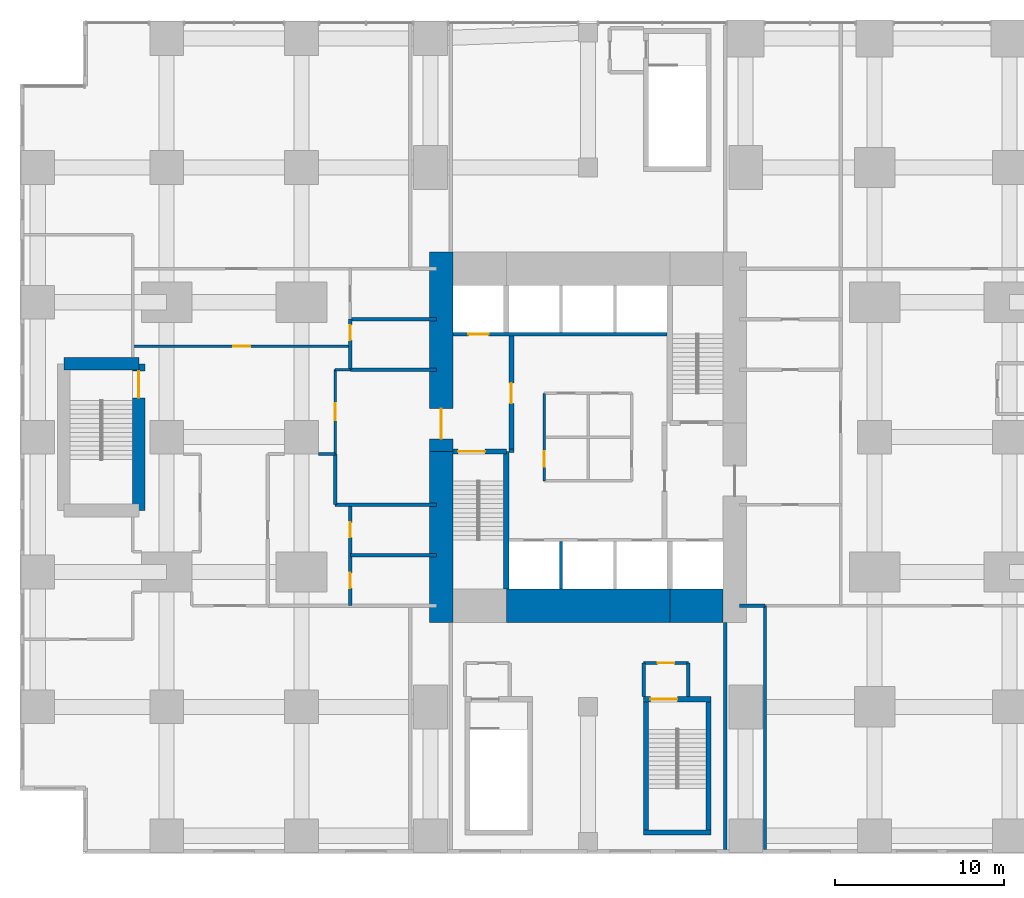
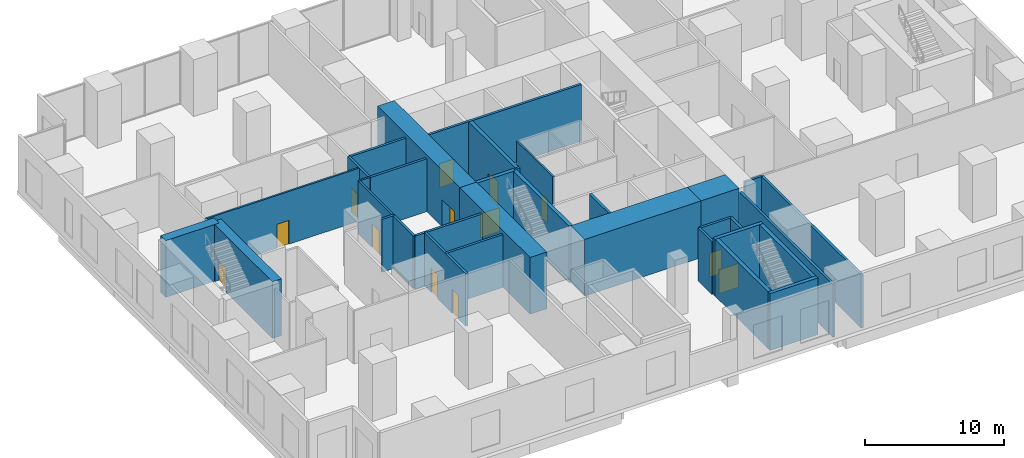
# One storey, part 7 of 11: 34 walls, 13 doors, 13 openings.
"""IFC4 building model written with IfcOpenShell, lengths in metres."""

from ifc_helpers import new_model, si_unit, direction, frame, frame_2d, origin, place, context, subcontext, project, spatial, rectangle, extrude, material, layer, layer_set, type_object, element, fill, save


model = new_model("IFC4")

# Units and contexts
model_context = context("Model", 3, precision=1e-05, world=origin(), true_north=direction((0.0, 1.0)))
body_context = subcontext(model_context, "Body", "Model", "MODEL_VIEW")
ifc_project = project(units=[si_unit("LENGTHUNIT", "METRE"), si_unit("AREAUNIT", "SQUARE_METRE"), si_unit("VOLUMEUNIT", "CUBIC_METRE"), si_unit("PLANEANGLEUNIT", "RADIAN"), si_unit("MASSUNIT", "GRAM", prefix="KILO")], contexts=[model_context])

# Site, building, storey
site_placement = place(None, origin())
site = spatial("IfcSite", under=ifc_project, at=site_placement, CompositionType="ELEMENT")
building_placement = place(site_placement, origin())
building = spatial("IfcBuilding", under=site, at=building_placement, Name="Cleftline Residences", CompositionType="ELEMENT")
storey_placement = place(building_placement, frame((0.0, 0.0, 21.0)))
storey = spatial("IfcBuildingStorey", under=building, at=storey_placement, Name="L04", CompositionType="ELEMENT", Elevation=21.0)

# Wall
ifc_material_1 = material(Name="Concrete B70", Category="concrete")
ifc_layer_1 = layer(ifc_material_1, 1.39990234375)
ifc_layer_set_1 = layer_set([ifc_layer_1], Name="CORE WALL 1400")
wall_type_1 = type_object("IfcWallType", Name="CORE WALL 1400", PredefinedType="SHEAR", material=ifc_layer_set_1)
wall_1_placement = place(storey_placement, frame((24.300048828125, 13.0, 0.0), z_axis=(0.0, 0.0, 1.0), x_axis=(0.0, 1.0, 0.0)))
element("IfcWall", 1, at=wall_1_placement, inside=storey, type_object=wall_type_1, Name="Core wall W0", PredefinedType="SHEAR", context=body_context, shape_type="SweptSolid", body=[
    extrude(rectangle(XDim=10.14990234375, YDim=1.39990234375, at=frame_2d((5.074951171875, 0.0))), origin(), (0.0, 0.0, 1.0), 5.0),
])

# Wall, opening, door
wall_2_placement = place(storey_placement, frame((24.300048828125, 23.14990234375, 0.0), z_axis=(0.0, 0.0, 1.0), x_axis=(0.0, 1.0, 0.0)))
wall_2 = element("IfcWall", 2, at=wall_2_placement, inside=storey, type_object=wall_type_1, Name="Core wall W", PredefinedType="SHEAR", context=body_context, shape_type="SweptSolid", body=[
    extrude(rectangle(XDim=11.85009765625, YDim=1.39990234375, at=frame_2d((5.925048828125, 0.0))), origin(), (0.0, 0.0, 1.0), 5.0),
])
opening_1_placement = place(wall_2_placement, frame((0.75, 0.0, 0.0)))
opening_1 = element("IfcOpeningElement", 3, at=opening_1_placement, cuts=wall_2, Name="Opening D7", PredefinedType="OPENING", context=body_context, shape_type="SweptSolid", body=[
    extrude(rectangle(XDim=1.800048828125, YDim=2.39990234375, at=frame_2d((0.89990234375, 1.199951171875))), frame((0.0, 0.7099609375, 0.0), z_axis=(0.0, -1.0, 0.0), x_axis=(1.0, 0.0, 0.0)), (0.0, 0.0, 1.0), 1.419921875),
])
ifc_material_2 = material(Name="Steel", Category="steel")
door_type_1 = type_object("IfcDoorType", Name="WING DOOR 1800X2400", OperationType="DOUBLE_DOOR_DOUBLE_SWING", PredefinedType="DOOR", material=ifc_material_2)
door_1_placement = place(opening_1_placement, origin())
door_1 = element("IfcDoor", 4, at=door_1_placement, inside=storey, type_object=door_type_1, Name="West wing door", OperationType="DOUBLE_DOOR_DOUBLE_SWING", OverallHeight=2.39990234375, OverallWidth=1.800048828125, PredefinedType="DOOR", context=body_context, shape_type="SweptSolid", body=[
    extrude(rectangle(XDim=1.800048828125, YDim=2.39990234375, at=frame_2d((0.89990234375, 1.199951171875))), frame((0.0, 0.02490234375, 0.0), z_axis=(0.0, -1.0, 0.0), x_axis=(1.0, 0.0, 0.0)), (0.0, 0.0, 1.0), 0.050048828125),
])
fill(opening_1, door_1)

# Walls
ifc_material_3 = material(Name="Concrete B70", Category="concrete")
ifc_layer_2 = layer(ifc_material_3, 2.0)
ifc_layer_set_2 = layer_set([ifc_layer_2], Name="CORE WALL 2000")
wall_type_2 = type_object("IfcWallType", Name="CORE WALL 2000", PredefinedType="SHEAR", material=ifc_layer_set_2)
wall_3_placement = place(storey_placement, frame((28.14990234375, 14.0, 0.0), z_axis=(0.0, 0.0, 1.0), x_axis=(1.0, 0.0, 0.0)))
element("IfcWall", 5, at=wall_3_placement, inside=storey, type_object=wall_type_2, Name="Core wall S2", PredefinedType="SHEAR", context=body_context, shape_type="SweptSolid", body=[
    extrude(rectangle(XDim=9.7001953125, YDim=2.0, at=frame_2d((4.85009765625, 0.0))), origin(), (0.0, 0.0, 1.0), 5.0),
])
wall_4_placement = place(storey_placement, frame((37.85009765625, 14.0, 0.0), z_axis=(0.0, 0.0, 1.0), x_axis=(1.0, 0.0, 0.0)))
element("IfcWall", 6, at=wall_4_placement, inside=storey, type_object=wall_type_2, Name="Core wall S3", PredefinedType="SHEAR", context=body_context, shape_type="SweptSolid", body=[
    extrude(rectangle(XDim=3.14990234375, YDim=2.0, at=frame_2d((1.574951171875, 0.0))), origin(), (0.0, 0.0, 1.0), 5.0),
])
ifc_material_4 = material(Name="Concrete B70", Category="concrete")
ifc_layer_3 = layer(ifc_material_4, 0.300048828125)
ifc_layer_set_3 = layer_set([ifc_layer_3], Name="CORE WALL 300")
wall_type_3 = type_object("IfcWallType", Name="CORE WALL 300", PredefinedType="SHEAR", material=ifc_layer_set_3)
wall_5_placement = place(storey_placement, frame((28.14990234375, 15.0, 0.0), z_axis=(0.0, 0.0, 1.0), x_axis=(0.0, 1.0, 0.0)))
element("IfcWall", 7, at=wall_5_placement, inside=storey, type_object=wall_type_3, Name="Core wall SA-E", PredefinedType="SHEAR", context=body_context, shape_type="SweptSolid", body=[
    extrude(rectangle(XDim=8.14990234375, YDim=0.300048828125, at=frame_2d((4.074951171875, 0.0))), origin(), (0.0, 0.0, 1.0), 5.0),
])

# Wall, opening, door
wall_6_placement = place(storey_placement, frame((25.0, 23.14990234375, 0.0), z_axis=(0.0, 0.0, 1.0), x_axis=(1.0, 0.0, 0.0)))
wall_6 = element("IfcWall", 8, at=wall_6_placement, inside=storey, type_object=wall_type_3, Name="Core wall SA-N", PredefinedType="SHEAR", context=body_context, shape_type="SweptSolid", body=[
    extrude(rectangle(XDim=3.14990234375, YDim=0.300048828125, at=frame_2d((1.574951171875, 0.0))), origin(), (0.0, 0.0, 1.0), 5.0),
])
opening_2_placement = place(wall_6_placement, frame((0.300048828125, 0.0, 0.0)))
opening_2 = element("IfcOpeningElement", 9, at=opening_2_placement, cuts=wall_6, Name="Opening D9", PredefinedType="OPENING", context=body_context, shape_type="SweptSolid", body=[
    extrude(rectangle(XDim=1.60009765625, YDim=2.10009765625, at=frame_2d((0.800048828125, 1.050048828125))), frame((0.0, 0.159912109375, 0.0), z_axis=(0.0, -1.0, 0.0), x_axis=(1.0, 0.0, 0.0)), (0.0, 0.0, 1.0), 0.320068359375),
])
ifc_material_5 = material(Name="Steel", Category="steel")
door_type_2 = type_object("IfcDoorType", Name="STAIR DOOR 1600X2100", OperationType="DOUBLE_DOOR_SINGLE_SWING", PredefinedType="DOOR", material=ifc_material_5)
door_2_placement = place(opening_2_placement, origin())
door_2 = element("IfcDoor", 10, at=door_2_placement, inside=storey, type_object=door_type_2, Name="Stair A door", OperationType="DOUBLE_DOOR_SINGLE_SWING", OverallHeight=2.10009765625, OverallWidth=1.60009765625, PredefinedType="DOOR", context=body_context, shape_type="SweptSolid", body=[
    extrude(rectangle(XDim=1.60009765625, YDim=2.10009765625, at=frame_2d((0.800048828125, 1.050048828125))), frame((0.0, 0.02490234375, 0.0), z_axis=(0.0, -1.0, 0.0), x_axis=(1.0, 0.0, 0.0)), (0.0, 0.0, 1.0), 0.050048828125),
])
fill(opening_2, door_2)

ifc_material_6 = material(Name="Concrete blockwork, fire rated", Category="masonry")
ifc_layer_4 = layer(ifc_material_6, 0.199951171875)
ifc_layer_set_4 = layer_set([ifc_layer_4], Name="FIRE WALL 200")
wall_type_4 = type_object("IfcWallType", Name="FIRE WALL 200", PredefinedType="PARTITIONING", material=ifc_layer_set_4)
wall_7_placement = place(storey_placement, frame((36.300048828125, 10.60009765625, 0.0), z_axis=(0.0, 0.0, 1.0), x_axis=(1.0, 0.0, 0.0)))
wall_7 = element("IfcWall", 11, at=wall_7_placement, inside=storey, type_object=wall_type_4, Name="Fire separating wall", PredefinedType="PARTITIONING", context=body_context, shape_type="SweptSolid", body=[
    extrude(rectangle(XDim=2.64990234375, YDim=0.199951171875, at=frame_2d((1.324951171875, 0.0))), origin(), (0.0, 0.0, 1.0), 4.64990234375),
])
opening_3_placement = place(wall_7_placement, frame((0.824951171875, 0.0, 0.0)))
opening_3 = element("IfcOpeningElement", 12, at=opening_3_placement, cuts=wall_7, Name="Opening D2F60", PredefinedType="OPENING", context=body_context, shape_type="SweptSolid", body=[
    extrude(rectangle(XDim=1.0, YDim=2.10009765625, at=frame_2d((0.5, 1.050048828125))), frame((0.0, 0.10986328125, 0.0), z_axis=(0.0, -1.0, 0.0), x_axis=(1.0, 0.0, 0.0)), (0.0, 0.0, 1.0), 0.219970703125),
])
ifc_material_7 = material(Name="Timber veneer on solid core", Category="wood")
door_type_3 = type_object("IfcDoorType", Name="DOOR 1000X2100 EI 60", OperationType="SINGLE_SWING_LEFT", PredefinedType="DOOR", material=ifc_material_7)
door_3_placement = place(opening_3_placement, origin())
door_3 = element("IfcDoor", 13, at=door_3_placement, inside=storey, type_object=door_type_3, Name="Door to stair c2 lobby", OperationType="SINGLE_SWING_LEFT", OverallHeight=2.10009765625, OverallWidth=1.0, PredefinedType="DOOR", context=body_context, shape_type="SweptSolid", body=[
    extrude(rectangle(XDim=1.0, YDim=2.10009765625, at=frame_2d((0.5, 1.050048828125))), frame((0.0, 0.02490234375, 0.0), z_axis=(0.0, -1.0, 0.0), x_axis=(1.0, 0.0, 0.0)), (0.0, 0.0, 1.0), 0.050048828125),
])
fill(opening_3, door_3)

# Walls
wall_8_placement = place(storey_placement, frame((42.0, 14.0, 0.0), z_axis=(0.0, 0.0, 1.0), x_axis=(1.0, 0.0, 0.0)))
element("IfcWall", 14, at=wall_8_placement, inside=storey, type_object=wall_type_4, Name="Fire separating wall", PredefinedType="PARTITIONING", context=body_context, shape_type="SweptSolid", body=[
    extrude(rectangle(XDim=1.5, YDim=0.199951171875, at=frame_2d((0.75, 0.0))), origin(), (0.0, 0.0, 1.0), 4.64990234375),
])
wall_9_placement = place(storey_placement, frame((18.89990234375, 17.0, 0.0), z_axis=(0.0, 0.0, 1.0), x_axis=(1.0, 0.0, 0.0)))
element("IfcWall", 15, at=wall_9_placement, inside=storey, type_object=wall_type_4, Name="Fire separating wall", PredefinedType="PARTITIONING", context=body_context, shape_type="SweptSolid", body=[
    extrude(rectangle(XDim=5.10009765625, YDim=0.199951171875, at=frame_2d((2.550048828125, 0.0))), origin(), (0.0, 0.0, 1.0), 4.64990234375),
])
wall_10_placement = place(storey_placement, frame((18.0, 20.0, 0.0), z_axis=(0.0, 0.0, 1.0), x_axis=(1.0, 0.0, 0.0)))
element("IfcWall", 16, at=wall_10_placement, inside=storey, type_object=wall_type_4, Name="Fire separating wall", PredefinedType="PARTITIONING", context=body_context, shape_type="SweptSolid", body=[
    extrude(rectangle(XDim=6.0, YDim=0.199951171875, at=frame_2d((3.0, 0.0))), origin(), (0.0, 0.0, 1.0), 4.64990234375),
])
wall_11_placement = place(storey_placement, frame((17.0, 23.0, 0.0), z_axis=(0.0, 0.0, 1.0), x_axis=(1.0, 0.0, 0.0)))
element("IfcWall", 17, at=wall_11_placement, inside=storey, type_object=wall_type_4, Name="Fire separating wall", PredefinedType="PARTITIONING", context=body_context, shape_type="SweptSolid", body=[
    extrude(rectangle(XDim=1.0, YDim=0.199951171875, at=frame_2d((0.5, 0.0))), origin(), (0.0, 0.0, 1.0), 4.64990234375),
])
for number, where, z_axis, x_axis, name in (
    (18, (18.89990234375, 28.0, 0.0), (0.0, 0.0, 1.0), (1.0, 0.0, 0.0), "Fire separating wall"),
    (19, (18.89990234375, 31.0, 0.0), (0.0, 0.0, 1.0), (1.0, 0.0, 0.0), "Fire separating wall"),
):
    element("IfcWall", number, at=place(storey_placement, frame(where, z_axis=z_axis, x_axis=x_axis)), inside=storey, type_object=wall_type_4, Name=name, PredefinedType="PARTITIONING", context=body_context, shape_type="SweptSolid", body=[
        extrude(rectangle(XDim=5.10009765625, YDim=0.199951171875, at=frame_2d((2.550048828125, 0.0))), origin(), (0.0, 0.0, 1.0), 4.64990234375),
    ])
wall_12_placement = place(storey_placement, frame((18.0, 20.0, 0.0), z_axis=(0.0, 0.0, 1.0), x_axis=(0.0, 1.0, 0.0)))
element("IfcWall", 20, at=wall_12_placement, inside=storey, type_object=wall_type_4, Name="Fire separating wall", PredefinedType="PARTITIONING", context=body_context, shape_type="SweptSolid", body=[
    extrude(rectangle(XDim=3.0, YDim=0.199951171875, at=frame_2d((1.5, 0.0))), origin(), (0.0, 0.0, 1.0), 4.64990234375),
])

# Wall, openings, doors
wall_13_placement = place(storey_placement, frame((18.89990234375, 14.0, 0.0), z_axis=(0.0, 0.0, 1.0), x_axis=(0.0, 1.0, 0.0)))
wall_13 = element("IfcWall", 21, at=wall_13_placement, inside=storey, type_object=wall_type_4, Name="Fire separating wall", PredefinedType="PARTITIONING", context=body_context, shape_type="SweptSolid", body=[
    extrude(rectangle(XDim=6.0, YDim=0.199951171875, at=frame_2d((3.0, 0.0))), origin(), (0.0, 0.0, 1.0), 4.64990234375),
])
opening_4_placement = place(wall_13_placement, frame((1.050048828125, 0.0, 0.0)))
opening_4 = element("IfcOpeningElement", 22, at=opening_4_placement, cuts=wall_13, Name="Opening D1F30", PredefinedType="OPENING", context=body_context, shape_type="SweptSolid", body=[
    extrude(rectangle(XDim=0.89990234375, YDim=2.10009765625, at=frame_2d((0.449951171875, 1.050048828125))), frame((0.0, 0.10986328125, 0.0), z_axis=(0.0, -1.0, 0.0), x_axis=(1.0, 0.0, 0.0)), (0.0, 0.0, 1.0), 0.219970703125),
])
opening_5_placement = place(wall_13_placement, frame((4.050048828125, 0.0, 0.0)))
opening_5 = element("IfcOpeningElement", 23, at=opening_5_placement, cuts=wall_13, Name="Opening D1F30", PredefinedType="OPENING", context=body_context, shape_type="SweptSolid", body=[
    extrude(rectangle(XDim=0.89990234375, YDim=2.10009765625, at=frame_2d((0.449951171875, 1.050048828125))), frame((0.0, 0.10986328125, 0.0), z_axis=(0.0, -1.0, 0.0), x_axis=(1.0, 0.0, 0.0)), (0.0, 0.0, 1.0), 0.219970703125),
])
ifc_material_8 = material(Name="Timber veneer on solid core", Category="wood")
door_type_4 = type_object("IfcDoorType", Name="DOOR 900X2100 EI 30", OperationType="SINGLE_SWING_LEFT", PredefinedType="DOOR", material=ifc_material_8)
door_4_placement = place(opening_4_placement, origin())
door_4 = element("IfcDoor", 24, at=door_4_placement, inside=storey, type_object=door_type_4, Name="Door to male wc", OperationType="SINGLE_SWING_RIGHT", OverallHeight=2.10009765625, OverallWidth=0.89990234375, PredefinedType="DOOR", context=body_context, shape_type="SweptSolid", body=[
    extrude(rectangle(XDim=0.89990234375, YDim=2.10009765625, at=frame_2d((0.449951171875, 1.050048828125))), frame((0.0, 0.02490234375, 0.0), z_axis=(0.0, -1.0, 0.0), x_axis=(1.0, 0.0, 0.0)), (0.0, 0.0, 1.0), 0.050048828125),
])
fill(opening_4, door_4)
door_5_placement = place(opening_5_placement, origin())
door_5 = element("IfcDoor", 25, at=door_5_placement, inside=storey, type_object=door_type_4, Name="Door to female wc", OperationType="SINGLE_SWING_LEFT", OverallHeight=2.10009765625, OverallWidth=0.89990234375, PredefinedType="DOOR", context=body_context, shape_type="SweptSolid", body=[
    extrude(rectangle(XDim=0.89990234375, YDim=2.10009765625, at=frame_2d((0.449951171875, 1.050048828125))), frame((0.0, 0.02490234375, 0.0), z_axis=(0.0, -1.0, 0.0), x_axis=(1.0, 0.0, 0.0)), (0.0, 0.0, 1.0), 0.050048828125),
])
fill(opening_5, door_5)

# Wall, opening, door
wall_14_placement = place(storey_placement, frame((18.89990234375, 28.0, 0.0), z_axis=(0.0, 0.0, 1.0), x_axis=(0.0, 1.0, 0.0)))
wall_14 = element("IfcWall", 26, at=wall_14_placement, inside=storey, type_object=wall_type_4, Name="Fire separating wall", PredefinedType="PARTITIONING", context=body_context, shape_type="SweptSolid", body=[
    extrude(rectangle(XDim=3.0, YDim=0.199951171875, at=frame_2d((1.5, 0.0))), origin(), (0.0, 0.0, 1.0), 4.64990234375),
])
opening_6_placement = place(wall_14_placement, frame((1.75, 0.0, 0.0)))
opening_6 = element("IfcOpeningElement", 27, at=opening_6_placement, cuts=wall_14, Name="Opening D1F30", PredefinedType="OPENING", context=body_context, shape_type="SweptSolid", body=[
    extrude(rectangle(XDim=0.89990234375, YDim=2.10009765625, at=frame_2d((0.449951171875, 1.050048828125))), frame((0.0, 0.10986328125, 0.0), z_axis=(0.0, -1.0, 0.0), x_axis=(1.0, 0.0, 0.0)), (0.0, 0.0, 1.0), 0.219970703125),
])
door_6_placement = place(opening_6_placement, origin())
door_6 = element("IfcDoor", 28, at=door_6_placement, inside=storey, type_object=door_type_4, Name="Door to accessible wc", OperationType="SINGLE_SWING_LEFT", OverallHeight=2.10009765625, OverallWidth=0.89990234375, PredefinedType="DOOR", context=body_context, shape_type="SweptSolid", body=[
    extrude(rectangle(XDim=0.89990234375, YDim=2.10009765625, at=frame_2d((0.449951171875, 1.050048828125))), frame((0.0, 0.02490234375, 0.0), z_axis=(0.0, -1.0, 0.0), x_axis=(1.0, 0.0, 0.0)), (0.0, 0.0, 1.0), 0.050048828125),
])
fill(opening_6, door_6)

# Walls
for number, where, z_axis, x_axis, name in (
    (29, (36.300048828125, 8.60009765625, 0.0), (0.0, 0.0, 1.0), (0.0, 1.0, 0.0), "Fire separating wall"),
    (30, (38.949951171875, 8.60009765625, 0.0), (0.0, 0.0, 1.0), (0.0, 1.0, 0.0), "Fire separating wall"),
):
    element("IfcWall", number, at=place(storey_placement, frame(where, z_axis=z_axis, x_axis=x_axis)), inside=storey, type_object=wall_type_4, Name=name, PredefinedType="PARTITIONING", context=body_context, shape_type="SweptSolid", body=[
        extrude(rectangle(XDim=2.0, YDim=0.199951171875, at=frame_2d((1.0, 0.0))), origin(), (0.0, 0.0, 1.0), 4.64990234375),
    ])
wall_15_placement = place(storey_placement, frame((41.14990234375, -0.449951171875, 0.0), z_axis=(0.0, 0.0, 1.0), x_axis=(0.0, 1.0, 0.0)))
element("IfcWall", 31, at=wall_15_placement, inside=storey, type_object=wall_type_4, Name="Fire separating wall", PredefinedType="PARTITIONING", context=body_context, shape_type="SweptSolid", body=[
    extrude(rectangle(XDim=13.449951171875, YDim=0.199951171875, at=frame_2d((6.72509765625, 0.0))), origin(), (0.0, 0.0, 1.0), 4.64990234375),
])
wall_16_placement = place(storey_placement, frame((43.5, -0.449951171875, 0.0), z_axis=(0.0, 0.0, 1.0), x_axis=(0.0, 1.0, 0.0)))
element("IfcWall", 32, at=wall_16_placement, inside=storey, type_object=wall_type_4, Name="Fire separating wall", PredefinedType="PARTITIONING", context=body_context, shape_type="SweptSolid", body=[
    extrude(rectangle(XDim=14.449951171875, YDim=0.199951171875, at=frame_2d((7.22509765625, 0.0))), origin(), (0.0, 0.0, 1.0), 4.64990234375),
])
wall_17_placement = place(storey_placement, frame((28.300048828125, 23.199951171875, 0.0), z_axis=(0.0, 0.0, 1.0), x_axis=(1.0, 0.0, 0.0)))
element("IfcWall", 33, at=wall_17_placement, inside=storey, type_object=wall_type_4, Name="Fire separating wall", PredefinedType="PARTITIONING", context=body_context, shape_type="SweptSolid", body=[
    extrude(rectangle(XDim=0.300048828125, YDim=0.199951171875, at=frame_2d((0.14990234375, 0.0))), origin(), (0.0, 0.0, 1.0), 5.0),
])
ifc_material_9 = material(Name="Gypsum board on steel studs", Category="steel")
ifc_layer_5 = layer(ifc_material_9, 0.14990234375)
ifc_layer_set_5 = layer_set([ifc_layer_5], Name="PARTITION 150")
wall_type_5 = type_object("IfcWallType", Name="PARTITION 150", PredefinedType="PARTITIONING", material=ifc_layer_set_5)
wall_18_placement = place(storey_placement, frame((18.0, 28.0, 0.0), z_axis=(0.0, 0.0, 1.0), x_axis=(1.0, 0.0, 0.0)))
element("IfcWall", 34, at=wall_18_placement, inside=storey, type_object=wall_type_5, Name="Partition", PredefinedType="PARTITIONING", context=body_context, shape_type="SweptSolid", body=[
    extrude(rectangle(XDim=0.89990234375, YDim=0.14990234375, at=frame_2d((0.449951171875, 0.0))), origin(), (0.0, 0.0, 1.0), 4.64990234375),
])

# Wall, opening, door
wall_19_placement = place(storey_placement, frame((6.0, 29.39990234375, 0.0), z_axis=(0.0, 0.0, 1.0), x_axis=(1.0, 0.0, 0.0)))
wall_19 = element("IfcWall", 35, at=wall_19_placement, inside=storey, type_object=wall_type_5, Name="Partition", PredefinedType="PARTITIONING", context=body_context, shape_type="SweptSolid", body=[
    extrude(rectangle(XDim=12.89990234375, YDim=0.14990234375, at=frame_2d((6.449951171875, 0.0))), origin(), (0.0, 0.0, 1.0), 4.64990234375),
])
opening_7_placement = place(wall_19_placement, frame((5.949951171875, 0.0, 0.0)))
opening_7 = element("IfcOpeningElement", 36, at=opening_7_placement, cuts=wall_19, Name="Opening D2F30", PredefinedType="OPENING", context=body_context, shape_type="SweptSolid", body=[
    extrude(rectangle(XDim=1.0, YDim=2.10009765625, at=frame_2d((0.5, 1.050048828125))), frame((0.0, 0.0849609375, 0.0), z_axis=(0.0, -1.0, 0.0), x_axis=(1.0, 0.0, 0.0)), (0.0, 0.0, 1.0), 0.169921875),
])
ifc_material_10 = material(Name="Timber veneer on solid core", Category="wood")
door_type_5 = type_object("IfcDoorType", Name="DOOR 1000X2100 EI 30", OperationType="SINGLE_SWING_LEFT", PredefinedType="DOOR", material=ifc_material_10)
door_7_placement = place(opening_7_placement, origin())
door_7 = element("IfcDoor", 37, at=door_7_placement, inside=storey, type_object=door_type_5, Name="Door to podium corridor north", OperationType="SINGLE_SWING_LEFT", OverallHeight=2.10009765625, OverallWidth=1.0, PredefinedType="DOOR", context=body_context, shape_type="SweptSolid", body=[
    extrude(rectangle(XDim=1.0, YDim=2.10009765625, at=frame_2d((0.5, 1.050048828125))), frame((0.0, 0.02490234375, 0.0), z_axis=(0.0, -1.0, 0.0), x_axis=(1.0, 0.0, 0.0)), (0.0, 0.0, 1.0), 0.050048828125),
])
fill(opening_7, door_7)

wall_20_placement = place(storey_placement, frame((18.0, 23.0, 0.0), z_axis=(0.0, 0.0, 1.0), x_axis=(0.0, 1.0, 0.0)))
wall_20 = element("IfcWall", 38, at=wall_20_placement, inside=storey, type_object=wall_type_5, Name="Partition", PredefinedType="PARTITIONING", context=body_context, shape_type="SweptSolid", body=[
    extrude(rectangle(XDim=5.0, YDim=0.14990234375, at=frame_2d((2.5, 0.0))), origin(), (0.0, 0.0, 1.0), 4.64990234375),
])
opening_8_placement = place(wall_20_placement, frame((2.0, 0.0, 0.0)))
opening_8 = element("IfcOpeningElement", 39, at=opening_8_placement, cuts=wall_20, Name="Opening D2F30", PredefinedType="OPENING", context=body_context, shape_type="SweptSolid", body=[
    extrude(rectangle(XDim=1.0, YDim=2.10009765625, at=frame_2d((0.5, 1.050048828125))), frame((0.0, 0.0849609375, 0.0), z_axis=(0.0, -1.0, 0.0), x_axis=(1.0, 0.0, 0.0)), (0.0, 0.0, 1.0), 0.169921875),
])
door_8_placement = place(opening_8_placement, origin())
door_8 = element("IfcDoor", 40, at=door_8_placement, inside=storey, type_object=door_type_5, Name="Door to podium corridor", OperationType="SINGLE_SWING_LEFT", OverallHeight=2.10009765625, OverallWidth=1.0, PredefinedType="DOOR", context=body_context, shape_type="SweptSolid", body=[
    extrude(rectangle(XDim=1.0, YDim=2.10009765625, at=frame_2d((0.5, 1.050048828125))), frame((0.0, 0.02490234375, 0.0), z_axis=(0.0, -1.0, 0.0), x_axis=(1.0, 0.0, 0.0)), (0.0, 0.0, 1.0), 0.050048828125),
])
fill(opening_8, door_8)

ifc_material_11 = material(Name="Fire-resisting gypsum board on steel studs", Category="steel")
ifc_layer_6 = layer(ifc_material_11, 0.14990234375)
ifc_layer_set_6 = layer_set([ifc_layer_6], Name="PARTITION 150 EI 60")
wall_type_6 = type_object("IfcWallType", Name="PARTITION 150 EI 60", PredefinedType="PARTITIONING", material=ifc_layer_set_6)
wall_21_placement = place(storey_placement, frame((30.39990234375, 21.39990234375, 0.0), z_axis=(0.0, 0.0, 1.0), x_axis=(0.0, 1.0, 0.0)))
wall_21 = element("IfcWall", 41, at=wall_21_placement, inside=storey, type_object=wall_type_6, Name="Core room partition", PredefinedType="PARTITIONING", context=body_context, shape_type="SweptSolid", body=[
    extrude(rectangle(XDim=5.2001953125, YDim=0.14990234375, at=frame_2d((2.60009765625, 0.0))), origin(), (0.0, 0.0, 1.0), 4.64990234375),
])
opening_9_placement = place(wall_21_placement, frame((0.85009765625, 0.0, 0.0)))
opening_9 = element("IfcOpeningElement", 42, at=opening_9_placement, cuts=wall_21, Name="Opening D1F30", PredefinedType="OPENING", context=body_context, shape_type="SweptSolid", body=[
    extrude(rectangle(XDim=0.89990234375, YDim=2.10009765625, at=frame_2d((0.449951171875, 1.050048828125))), frame((0.0, 0.0849609375, 0.0), z_axis=(0.0, -1.0, 0.0), x_axis=(1.0, 0.0, 0.0)), (0.0, 0.0, 1.0), 0.169921875),
])
door_9_placement = place(opening_9_placement, origin())
door_9 = element("IfcDoor", 43, at=door_9_placement, inside=storey, type_object=door_type_4, Name="Door to cleaner's store", OperationType="SINGLE_SWING_RIGHT", OverallHeight=2.10009765625, OverallWidth=0.89990234375, PredefinedType="DOOR", context=body_context, shape_type="SweptSolid", body=[
    extrude(rectangle(XDim=0.89990234375, YDim=2.10009765625, at=frame_2d((0.449951171875, 1.050048828125))), frame((0.0, 0.02490234375, 0.0), z_axis=(0.0, -1.0, 0.0), x_axis=(1.0, 0.0, 0.0)), (0.0, 0.0, 1.0), 0.050048828125),
])
fill(opening_9, door_9)

ifc_material_12 = material(Name="Concrete blockwork, fire rated", Category="masonry")
ifc_layer_7 = layer(ifc_material_12, 0.199951171875)
ifc_layer_set_7 = layer_set([ifc_layer_7], Name="SHAFT WALL 200")
wall_type_7 = type_object("IfcWallType", Name="SHAFT WALL 200", PredefinedType="PARTITIONING", material=ifc_layer_set_7)
wall_22_placement = place(storey_placement, frame((25.0, 30.10009765625, 0.0), z_axis=(0.0, 0.0, 1.0), x_axis=(1.0, 0.0, 0.0)))
wall_22 = element("IfcWall", 44, at=wall_22_placement, inside=storey, type_object=wall_type_7, Name="Lift shaft wall", PredefinedType="PARTITIONING", context=body_context, shape_type="SweptSolid", body=[
    extrude(rectangle(XDim=12.699951171875, YDim=0.199951171875, at=frame_2d((6.35009765625, 0.0))), origin(), (0.0, 0.0, 1.0), 5.0),
])
opening_10_placement = place(wall_22_placement, frame((0.89990234375, 0.0, 0.0)))
opening_10 = element("IfcOpeningElement", 45, at=opening_10_placement, cuts=wall_22, Name="Opening LD2", PredefinedType="OPENING", context=body_context, shape_type="SweptSolid", body=[
    extrude(rectangle(XDim=1.199951171875, YDim=2.10009765625, at=frame_2d((0.60009765625, 1.050048828125))), frame((0.0, 0.10986328125, 0.0), z_axis=(0.0, -1.0, 0.0), x_axis=(1.0, 0.0, 0.0)), (0.0, 0.0, 1.0), 0.219970703125),
])
ifc_material_13 = material(Name="Steel", Category="steel")
door_type_6 = type_object("IfcDoorType", Name="FIREFIGHTING LIFT LANDING DOOR 1200X2100", OperationType="SLIDING_TO_LEFT", PredefinedType="DOOR", material=ifc_material_13)
door_10_placement = place(opening_10_placement, origin())
door_10 = element("IfcDoor", 46, at=door_10_placement, inside=storey, type_object=door_type_6, Name="Lift FL1 landing door", OperationType="SLIDING_TO_LEFT", OverallHeight=2.10009765625, OverallWidth=1.199951171875, PredefinedType="DOOR", context=body_context, shape_type="SweptSolid", body=[
    extrude(rectangle(XDim=1.199951171875, YDim=2.10009765625, at=frame_2d((0.60009765625, 1.050048828125))), frame((0.0, 0.02490234375, 0.0), z_axis=(0.0, -1.0, 0.0), x_axis=(1.0, 0.0, 0.0)), (0.0, 0.0, 1.0), 0.050048828125),
])
fill(opening_10, door_10)

# Wall
wall_23_placement = place(storey_placement, frame((31.39990234375, 15.0, 0.0), z_axis=(0.0, 0.0, 1.0), x_axis=(0.0, 1.0, 0.0)))
element("IfcWall", 47, at=wall_23_placement, inside=storey, type_object=wall_type_7, Name="Lift shaft wall", PredefinedType="PARTITIONING", context=body_context, shape_type="SweptSolid", body=[
    extrude(rectangle(XDim=2.800048828125, YDim=0.199951171875, at=frame_2d((1.39990234375, 0.0))), origin(), (0.0, 0.0, 1.0), 5.0),
])

# Wall, opening, door
ifc_material_14 = material(Name="Concrete B70", Category="concrete")
ifc_layer_8 = layer(ifc_material_14, 0.75)
ifc_layer_set_8 = layer_set([ifc_layer_8], Name="SHEAR WALL 750")
wall_type_8 = type_object("IfcWallType", Name="SHEAR WALL 750", PredefinedType="SHEAR", material=ifc_layer_set_8)
wall_24_placement = place(storey_placement, frame((6.35009765625, 19.64990234375, 0.0), z_axis=(0.0, 0.0, 1.0), x_axis=(0.0, 1.0, 0.0)))
wall_24 = element("IfcWall", 48, at=wall_24_placement, inside=storey, type_object=wall_type_8, Name="Wing shear wall", PredefinedType="SHEAR", context=body_context, shape_type="SweptSolid", body=[
    extrude(rectangle(XDim=8.7001953125, YDim=0.75, at=frame_2d((4.35009765625, 0.0))), origin(), (0.0, 0.0, 1.0), 5.0),
])
opening_11_placement = place(wall_24_placement, frame((6.675048828125, 0.0, 0.0)))
opening_11 = element("IfcOpeningElement", 49, at=opening_11_placement, cuts=wall_24, Name="Opening D9", PredefinedType="OPENING", context=body_context, shape_type="SweptSolid", body=[
    extrude(rectangle(XDim=1.60009765625, YDim=2.10009765625, at=frame_2d((0.800048828125, 1.050048828125))), frame((0.0, 0.385009765625, 0.0), z_axis=(0.0, -1.0, 0.0), x_axis=(1.0, 0.0, 0.0)), (0.0, 0.0, 1.0), 0.77001953125),
])
door_11_placement = place(opening_11_placement, origin())
door_11 = element("IfcDoor", 50, at=door_11_placement, inside=storey, type_object=door_type_2, Name="Stair W door", OperationType="DOUBLE_DOOR_SINGLE_SWING", OverallHeight=2.10009765625, OverallWidth=1.60009765625, PredefinedType="DOOR", context=body_context, shape_type="SweptSolid", body=[
    extrude(rectangle(XDim=1.60009765625, YDim=2.10009765625, at=frame_2d((0.800048828125, 1.050048828125))), frame((0.0, 0.02490234375, 0.0), z_axis=(0.0, -1.0, 0.0), x_axis=(1.0, 0.0, 0.0)), (0.0, 0.0, 1.0), 0.050048828125),
])
fill(opening_11, door_11)

# Walls
wall_25_placement = place(storey_placement, frame((6.35009765625, 28.35009765625, 0.0), z_axis=(0.0, 0.0, 1.0), x_axis=(-1.0, 0.0, 0.0)))
element("IfcWall", 51, at=wall_25_placement, inside=storey, type_object=wall_type_8, Name="Wing shear wall", PredefinedType="SHEAR", context=body_context, shape_type="SweptSolid", body=[
    extrude(rectangle(XDim=4.4501953125, YDim=0.75, at=frame_2d((2.22509765625, 0.0))), origin(), (0.0, 0.0, 1.0), 5.0),
])
ifc_material_15 = material(Name="Concrete blockwork, fire rated", Category="masonry")
ifc_layer_9 = layer(ifc_material_15, 0.300048828125)
ifc_layer_set_9 = layer_set([ifc_layer_9], Name="STAIR ENCLOSURE WALL 300")
wall_type_9 = type_object("IfcWallType", Name="STAIR ENCLOSURE WALL 300", PredefinedType="PARTITIONING", material=ifc_layer_set_9)
wall_26_placement = place(storey_placement, frame((36.300048828125, 0.550048828125, 0.0), z_axis=(0.0, 0.0, 1.0), x_axis=(1.0, 0.0, 0.0)))
element("IfcWall", 52, at=wall_26_placement, inside=storey, type_object=wall_type_9, Name="Stair C2 enclosure", PredefinedType="PARTITIONING", context=body_context, shape_type="SweptSolid", body=[
    extrude(rectangle(XDim=4.0, YDim=0.300048828125, at=frame_2d((2.0, 0.0))), origin(), (0.0, 0.0, 1.0), 5.0),
])

# Wall, opening, door
wall_27_placement = place(storey_placement, frame((36.300048828125, 8.449951171875, 0.0), z_axis=(0.0, 0.0, 1.0), x_axis=(1.0, 0.0, 0.0)))
wall_27 = element("IfcWall", 53, at=wall_27_placement, inside=storey, type_object=wall_type_9, Name="Stair C2 enclosure", PredefinedType="PARTITIONING", context=body_context, shape_type="SweptSolid", body=[
    extrude(rectangle(XDim=4.0, YDim=0.300048828125, at=frame_2d((2.0, 0.0))), origin(), (0.0, 0.0, 1.0), 5.0),
])
opening_12_placement = place(wall_27_placement, frame((0.39990234375, 0.0, 0.0)))
opening_12 = element("IfcOpeningElement", 54, at=opening_12_placement, cuts=wall_27, Name="Opening D9", PredefinedType="OPENING", context=body_context, shape_type="SweptSolid", body=[
    extrude(rectangle(XDim=1.60009765625, YDim=2.10009765625, at=frame_2d((0.800048828125, 1.050048828125))), frame((0.0, 0.159912109375, 0.0), z_axis=(0.0, -1.0, 0.0), x_axis=(1.0, 0.0, 0.0)), (0.0, 0.0, 1.0), 0.320068359375),
])
door_12_placement = place(opening_12_placement, origin())
door_12 = element("IfcDoor", 55, at=door_12_placement, inside=storey, type_object=door_type_2, Name="Stair C2 door", OperationType="DOUBLE_DOOR_SINGLE_SWING", OverallHeight=2.10009765625, OverallWidth=1.60009765625, PredefinedType="DOOR", context=body_context, shape_type="SweptSolid", body=[
    extrude(rectangle(XDim=1.60009765625, YDim=2.10009765625, at=frame_2d((0.800048828125, 1.050048828125))), frame((0.0, 0.02490234375, 0.0), z_axis=(0.0, -1.0, 0.0), x_axis=(1.0, 0.0, 0.0)), (0.0, 0.0, 1.0), 0.050048828125),
])
fill(opening_12, door_12)

# Walls
for number, where, z_axis, x_axis, name in (
    (56, (36.449951171875, 0.699951171875, 0.0), (0.0, 0.0, 1.0), (0.0, 1.0, 0.0), "Stair C2 enclosure"),
    (57, (40.14990234375, 0.699951171875, 0.0), (0.0, 0.0, 1.0), (0.0, 1.0, 0.0), "Stair C2 enclosure"),
):
    element("IfcWall", number, at=place(storey_placement, frame(where, z_axis=z_axis, x_axis=x_axis)), inside=storey, type_object=wall_type_9, Name=name, PredefinedType="PARTITIONING", context=body_context, shape_type="SweptSolid", body=[
        extrude(rectangle(XDim=7.60009765625, YDim=0.300048828125, at=frame_2d((3.800048828125, 0.0))), origin(), (0.0, 0.0, 1.0), 5.0),
    ])

# Wall, opening, door
ifc_material_16 = material(Name="Concrete blockwork, fire rated", Category="masonry")
ifc_layer_10 = layer(ifc_material_16, 0.300048828125)
ifc_layer_set_10 = layer_set([ifc_layer_10], Name="STAIR LOBBY WALL 300")
wall_type_10 = type_object("IfcWallType", Name="STAIR LOBBY WALL 300", PredefinedType="PARTITIONING", material=ifc_layer_set_10)
wall_28_placement = place(storey_placement, frame((28.449951171875, 23.300048828125, 0.0), z_axis=(0.0, 0.0, 1.0), x_axis=(0.0, 1.0, 0.0)))
wall_28 = element("IfcWall", 58, at=wall_28_placement, inside=storey, type_object=wall_type_10, Name="Stair and lobby wall FA-E", PredefinedType="PARTITIONING", context=body_context, shape_type="SweptSolid", body=[
    extrude(rectangle(XDim=6.699951171875, YDim=0.300048828125, at=frame_2d((3.35009765625, 0.0))), origin(), (0.0, 0.0, 1.0), 5.0),
])
opening_13_placement = place(wall_28_placement, frame((2.699951171875, 0.0, 0.0)))
opening_13 = element("IfcOpeningElement", 59, at=opening_13_placement, cuts=wall_28, Name="Opening D6", PredefinedType="OPENING", context=body_context, shape_type="SweptSolid", body=[
    extrude(rectangle(XDim=1.199951171875, YDim=2.10009765625, at=frame_2d((0.60009765625, 1.050048828125))), frame((0.0, 0.159912109375, 0.0), z_axis=(0.0, -1.0, 0.0), x_axis=(1.0, 0.0, 0.0)), (0.0, 0.0, 1.0), 0.320068359375),
])
ifc_material_17 = material(Name="Steel", Category="steel")
door_type_7 = type_object("IfcDoorType", Name="LOBBY DOOR 1200X2100", OperationType="SINGLE_SWING_RIGHT", PredefinedType="DOOR", material=ifc_material_17)
door_13_placement = place(opening_13_placement, origin())
door_13 = element("IfcDoor", 60, at=door_13_placement, inside=storey, type_object=door_type_7, Name="Firefighting lobby A door", OperationType="SINGLE_SWING_RIGHT", OverallHeight=2.10009765625, OverallWidth=1.199951171875, PredefinedType="DOOR", context=body_context, shape_type="SweptSolid", body=[
    extrude(rectangle(XDim=1.199951171875, YDim=2.10009765625, at=frame_2d((0.60009765625, 1.050048828125))), frame((0.0, 0.02490234375, 0.0), z_axis=(0.0, -1.0, 0.0), x_axis=(1.0, 0.0, 0.0)), (0.0, 0.0, 1.0), 0.050048828125),
])
fill(opening_13, door_13)

save(model, "model.ifc")
